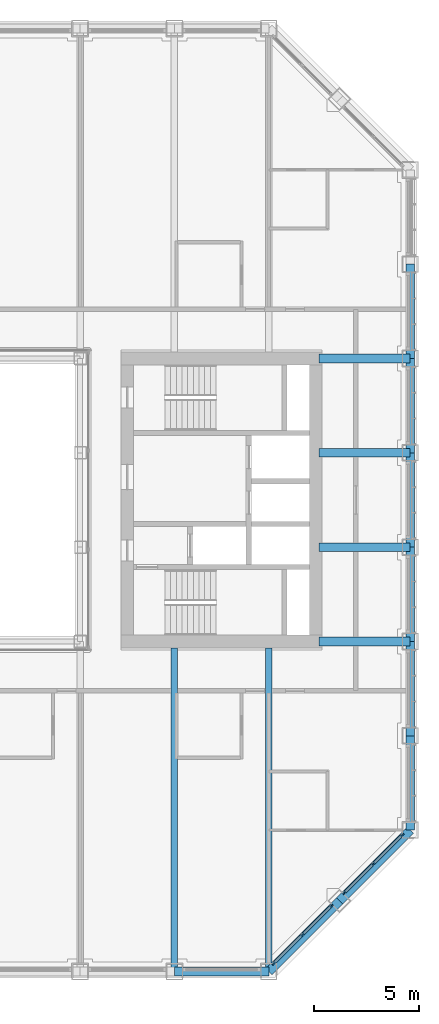
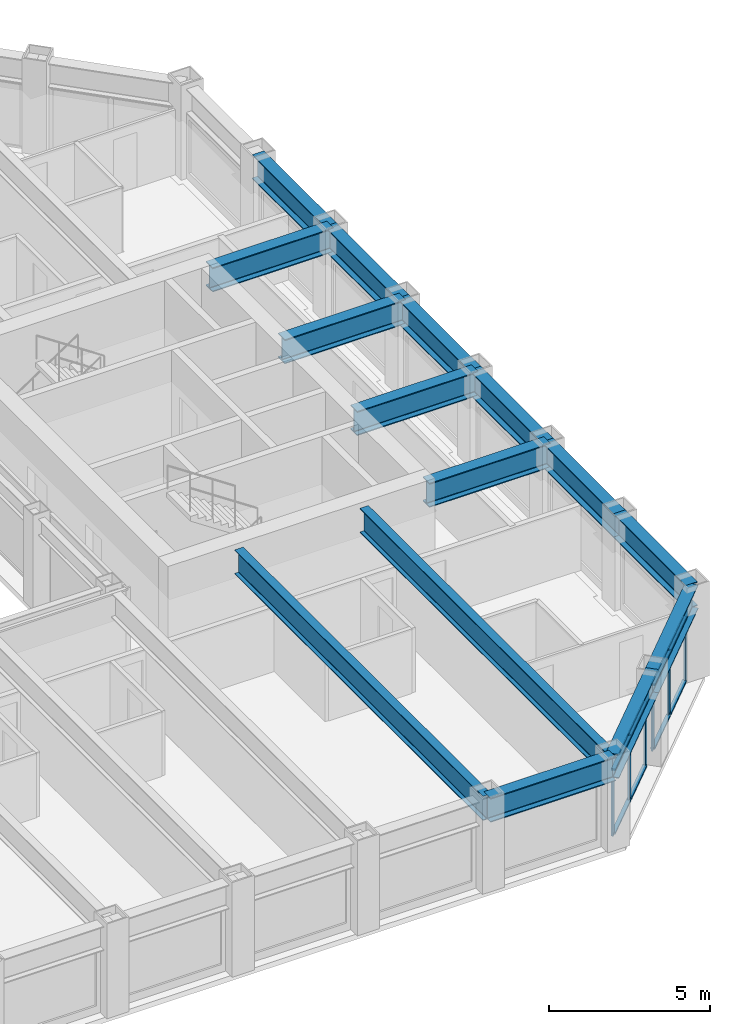
# One storey, part 6 of 17: 15 beams, 14 members, 2 elements without a shape of their own.
"""IFC4 building model written with IfcOpenShell, lengths in metres."""

from ifc_helpers import new_model, si_unit, direction, frame, origin, origin_2d, place, context, subcontext, project, spatial, rectangle, i_section, extrude, material, material_profile, profile_set, type_object, element, aggregate, save


model = new_model("IFC4")

# Units and contexts
model_context = context("Model", 3, precision=1e-05, world=origin(), true_north=direction((0.0, 1.0)))
body_context = subcontext(model_context, "Body", "Model", "MODEL_VIEW")
ifc_project = project(units=[si_unit("LENGTHUNIT", "METRE"), si_unit("AREAUNIT", "SQUARE_METRE"), si_unit("VOLUMEUNIT", "CUBIC_METRE"), si_unit("PLANEANGLEUNIT", "RADIAN"), si_unit("MASSUNIT", "GRAM", prefix="KILO")], contexts=[model_context])

# Site, building, storey
site_placement = place(None, origin())
site = spatial("IfcSite", under=ifc_project, at=site_placement, CompositionType="ELEMENT")
building_placement = place(site_placement, origin())
building = spatial("IfcBuilding", under=site, at=building_placement, Name="Msasa Ring Tower", CompositionType="ELEMENT")
storey_placement = place(building_placement, frame((0.0, 0.0, 161.60009765625)))
storey = spatial("IfcBuildingStorey", under=building, at=storey_placement, Name="L42", CompositionType="ELEMENT", Elevation=161.60009765625)

# Curtain wall, members
ifc_material_1 = material(Name="Aluminium curtain wall with clear glass", Category="aluminium")
curtain_wall_type = type_object("IfcCurtainWallType", Name="CW-C CHAMFER CORNER CURTAIN WALL", PredefinedType="NOTDEFINED", material=ifc_material_1)
curtain_wall_1_placement = place(storey_placement, origin())
curtain_wall_1 = element("IfcCurtainWall", 1, at=curtain_wall_1_placement, inside=storey, type_object=curtain_wall_type, Name="Chamfer corner curtain wall SE L42", PredefinedType="NOTDEFINED")
ifc_material_2 = material(Name="Aluminium mullion", Category="aluminium")
ifc_material_profile_1 = material_profile(ifc_material_2, rectangle(XDim=0.06494140625, YDim=0.179931640625, at=origin_2d()), Name="AL 65x180")
ifc_profile_set_1 = profile_set([ifc_material_profile_1], Name="Aluminium mullion")
member_type_1 = type_object("IfcMemberType", Name="CW-C MULLION 65x180", PredefinedType="MULLION", material=ifc_profile_set_1)
member_1_placement = place(storey_placement, frame((15.98876953125, -22.119873046875, 0.0), z_axis=(0.0, 0.0, 1.0), x_axis=(-0.707106781187, 0.707106781187, 0.0)))
member_1 = element("IfcMember", 2, at=member_1_placement, type_object=member_type_1, Name="CW-C mullion 1", PredefinedType="MULLION", context=body_context, shape_type="SweptSolid", body=[
    extrude(rectangle(XDim=0.06494140625, YDim=0.179931640625, at=origin_2d()), origin(), (0.0, 0.0, 1.0), 2.47900390625),
])
member_2_placement = place(storey_placement, frame((17.36669921875, -20.74169921875, 0.0), z_axis=(0.0, 0.0, 1.0), x_axis=(-0.707106781187, 0.707106781187, 0.0)))
member_2 = element("IfcMember", 3, at=member_2_placement, type_object=member_type_1, Name="CW-C mullion 2", PredefinedType="MULLION", context=body_context, shape_type="SweptSolid", body=[
    extrude(rectangle(XDim=0.06494140625, YDim=0.179931640625, at=origin_2d()), origin(), (0.0, 0.0, 1.0), 2.47900390625),
])
member_3_placement = place(storey_placement, frame((18.744873046875, -19.36376953125, 0.0), z_axis=(0.0, 0.0, 1.0), x_axis=(-0.707106781187, 0.707106781187, 0.0)))
member_3 = element("IfcMember", 4, at=member_3_placement, type_object=member_type_1, Name="CW-C mullion 3", PredefinedType="MULLION", context=body_context, shape_type="SweptSolid", body=[
    extrude(rectangle(XDim=0.06494140625, YDim=0.179931640625, at=origin_2d()), origin(), (0.0, 0.0, 1.0), 2.47900390625),
])

curtain_wall_2_placement = place(storey_placement, origin())
curtain_wall_2 = element("IfcCurtainWall", 5, at=curtain_wall_2_placement, inside=storey, type_object=curtain_wall_type, Name="Chamfer corner curtain wall SE L42", PredefinedType="NOTDEFINED")
member_4_placement = place(storey_placement, frame((19.36376953125, -18.744873046875, 0.0), z_axis=(0.0, 0.0, 1.0), x_axis=(-0.707106781187, 0.707106781187, 0.0)))
member_4 = element("IfcMember", 6, at=member_4_placement, type_object=member_type_1, Name="CW-C mullion 1", PredefinedType="MULLION", context=body_context, shape_type="SweptSolid", body=[
    extrude(rectangle(XDim=0.06494140625, YDim=0.179931640625, at=origin_2d()), origin(), (0.0, 0.0, 1.0), 2.47900390625),
])
member_5_placement = place(storey_placement, frame((20.74169921875, -17.36669921875, 0.0), z_axis=(0.0, 0.0, 1.0), x_axis=(-0.707106781187, 0.707106781187, 0.0)))
member_5 = element("IfcMember", 7, at=member_5_placement, type_object=member_type_1, Name="CW-C mullion 2", PredefinedType="MULLION", context=body_context, shape_type="SweptSolid", body=[
    extrude(rectangle(XDim=0.06494140625, YDim=0.179931640625, at=origin_2d()), origin(), (0.0, 0.0, 1.0), 2.47900390625),
])
member_6_placement = place(storey_placement, frame((22.119873046875, -15.98876953125, 0.0), z_axis=(0.0, 0.0, 1.0), x_axis=(-0.707106781187, 0.707106781187, 0.0)))
member_6 = element("IfcMember", 8, at=member_6_placement, type_object=member_type_1, Name="CW-C mullion 3", PredefinedType="MULLION", context=body_context, shape_type="SweptSolid", body=[
    extrude(rectangle(XDim=0.06494140625, YDim=0.179931640625, at=origin_2d()), origin(), (0.0, 0.0, 1.0), 2.47900390625),
])

# Member
ifc_material_3 = material(Name="Aluminium transom", Category="aluminium")
ifc_material_profile_2 = material_profile(ifc_material_3, rectangle(XDim=0.139892578125, YDim=0.06494140625, at=origin_2d()), Name="AL 65x140")
ifc_profile_set_2 = profile_set([ifc_material_profile_2], Name="Aluminium transom")
member_type_2 = type_object("IfcMemberType", Name="CW-C TRANSOM 65x140", PredefinedType="USERDEFINED", material=ifc_profile_set_2)
member_7_placement = place(storey_placement, frame((16.01171875, -22.096923828125, 0.032470703125), z_axis=(0.707106781187, 0.707106781187, 0.0), x_axis=(-0.707106781187, 0.707106781187, 0.0)))
member_7 = element("IfcMember", 9, at=member_7_placement, type_object=member_type_2, Name="CW-C transom 1.1", ObjectType="TRANSOM", PredefinedType="USERDEFINED", context=body_context, shape_type="SweptSolid", body=[
    extrude(rectangle(XDim=0.139892578125, YDim=0.06494140625, at=origin_2d()), origin(), (0.0, 0.0, 1.0), 1.8837890625),
])

member_8_placement = place(storey_placement, frame((16.01171875, -22.096923828125, 2.4462890625), z_axis=(0.707106781187, 0.707106781187, 0.0), x_axis=(-0.707106781187, 0.707106781187, 0.0)))
member_8 = element("IfcMember", 10, at=member_8_placement, type_object=member_type_2, Name="CW-C transom 1.2", ObjectType="TRANSOM", PredefinedType="USERDEFINED", context=body_context, shape_type="SweptSolid", body=[
    extrude(rectangle(XDim=0.139892578125, YDim=0.06494140625, at=origin_2d()), origin(), (0.0, 0.0, 1.0), 1.8837890625),
])

member_9_placement = place(storey_placement, frame((17.389892578125, -20.71875, 0.032470703125), z_axis=(0.707106781187, 0.707106781187, 0.0), x_axis=(-0.707106781187, 0.707106781187, 0.0)))
member_9 = element("IfcMember", 11, at=member_9_placement, type_object=member_type_2, Name="CW-C transom 2.1", ObjectType="TRANSOM", PredefinedType="USERDEFINED", context=body_context, shape_type="SweptSolid", body=[
    extrude(rectangle(XDim=0.139892578125, YDim=0.06494140625, at=origin_2d()), origin(), (0.0, 0.0, 1.0), 1.8837890625),
])

member_10_placement = place(storey_placement, frame((17.389892578125, -20.71875, 2.4462890625), z_axis=(0.707106781187, 0.707106781187, 0.0), x_axis=(-0.707106781187, 0.707106781187, 0.0)))
member_10 = element("IfcMember", 12, at=member_10_placement, type_object=member_type_2, Name="CW-C transom 2.2", ObjectType="TRANSOM", PredefinedType="USERDEFINED", context=body_context, shape_type="SweptSolid", body=[
    extrude(rectangle(XDim=0.139892578125, YDim=0.06494140625, at=origin_2d()), origin(), (0.0, 0.0, 1.0), 1.8837890625),
])

aggregate(curtain_wall_1, [member_1, member_2, member_3, member_7, member_8, member_9, member_10])

member_11_placement = place(storey_placement, frame((19.38671875, -18.721923828125, 0.032470703125), z_axis=(0.707106781187, 0.707106781187, 0.0), x_axis=(-0.707106781187, 0.707106781187, 0.0)))
member_11 = element("IfcMember", 13, at=member_11_placement, type_object=member_type_2, Name="CW-C transom 1.1", ObjectType="TRANSOM", PredefinedType="USERDEFINED", context=body_context, shape_type="SweptSolid", body=[
    extrude(rectangle(XDim=0.139892578125, YDim=0.06494140625, at=origin_2d()), origin(), (0.0, 0.0, 1.0), 1.8837890625),
])

member_12_placement = place(storey_placement, frame((19.38671875, -18.721923828125, 2.4462890625), z_axis=(0.707106781187, 0.707106781187, 0.0), x_axis=(-0.707106781187, 0.707106781187, 0.0)))
member_12 = element("IfcMember", 14, at=member_12_placement, type_object=member_type_2, Name="CW-C transom 1.2", ObjectType="TRANSOM", PredefinedType="USERDEFINED", context=body_context, shape_type="SweptSolid", body=[
    extrude(rectangle(XDim=0.139892578125, YDim=0.06494140625, at=origin_2d()), origin(), (0.0, 0.0, 1.0), 1.8837890625),
])

member_13_placement = place(storey_placement, frame((20.764892578125, -17.34375, 0.032470703125), z_axis=(0.707106781187, 0.707106781187, 0.0), x_axis=(-0.707106781187, 0.707106781187, 0.0)))
member_13 = element("IfcMember", 15, at=member_13_placement, type_object=member_type_2, Name="CW-C transom 2.1", ObjectType="TRANSOM", PredefinedType="USERDEFINED", context=body_context, shape_type="SweptSolid", body=[
    extrude(rectangle(XDim=0.139892578125, YDim=0.06494140625, at=origin_2d()), origin(), (0.0, 0.0, 1.0), 1.8837890625),
])

member_14_placement = place(storey_placement, frame((20.764892578125, -17.34375, 2.4462890625), z_axis=(0.707106781187, 0.707106781187, 0.0), x_axis=(-0.707106781187, 0.707106781187, 0.0)))
member_14 = element("IfcMember", 16, at=member_14_placement, type_object=member_type_2, Name="CW-C transom 2.2", ObjectType="TRANSOM", PredefinedType="USERDEFINED", context=body_context, shape_type="SweptSolid", body=[
    extrude(rectangle(XDim=0.139892578125, YDim=0.06494140625, at=origin_2d()), origin(), (0.0, 0.0, 1.0), 1.8837890625),
])

aggregate(curtain_wall_2, [member_4, member_5, member_6, member_11, member_12, member_13, member_14])

# Beams
ifc_material_4 = material(Name="Steel S355", Category="steel")
ifc_material_profile_3 = material_profile(ifc_material_4, i_section(OverallWidth=0.42041015625, OverallDepth=0.9208984375, WebThickness=0.021484375, FlangeThickness=0.03662109375, FilletRadius=0.024169921875, at=origin_2d()), Name="UB 914x419x388")
ifc_profile_set_3 = profile_set([ifc_material_profile_3], Name="Steel S355")
beam_type_1 = type_object("IfcBeamType", Name="FB2 UB 914x419x388", PredefinedType="BEAM", material=ifc_profile_set_3)
for number, where, z_axis, x_axis, name in (
    (17, (22.5, -2.25, 2.939453125), (-1.0, 0.0, 0.0), (0.0, -1.0, 0.0), "Floor beam E -2.25 under L43"),
    (18, (22.5, 2.25, 2.939453125), (-1.0, 0.0, 0.0), (0.0, -1.0, 0.0), "Floor beam E +2.25 under L43"),
):
    element("IfcBeam", number, at=place(storey_placement, frame(where, z_axis=z_axis, x_axis=x_axis)), inside=storey, type_object=beam_type_1, Name=name, PredefinedType="BEAM", context=body_context, shape_type="SweptSolid", body=[
        extrude(i_section(OverallWidth=0.42041015625, OverallDepth=0.9208984375, WebThickness=0.021484375, FlangeThickness=0.03662109375, FilletRadius=0.024169921875, at=origin_2d()), origin(), (0.0, 0.0, 1.0), 4.35009765625),
    ])
ifc_material_5 = material(Name="Steel S355", Category="steel")
ifc_material_profile_4 = material_profile(ifc_material_5, i_section(OverallWidth=0.3076171875, OverallDepth=0.926513671875, WebThickness=0.01953125, FlangeThickness=0.031982421875, FilletRadius=0.01904296875, at=origin_2d()), Name="UB 914x305x289")
ifc_profile_set_4 = profile_set([ifc_material_profile_4], Name="Steel S355")
beam_type_2 = type_object("IfcBeamType", Name="FB3 UB 914x305x289", PredefinedType="BEAM", material=ifc_profile_set_4)
for number, where, z_axis, x_axis, name in (
    (19, (11.25, -22.5, 2.9365234375), (0.0, 1.0, 0.0), (-1.0, 0.0, 0.0), "Floor beam S+11.25 under L43"),
    (20, (15.75, -22.5, 2.9365234375), (0.0, 1.0, 0.0), (-1.0, 0.0, 0.0), "Floor beam S+15.75 under L43"),
):
    element("IfcBeam", number, at=place(storey_placement, frame(where, z_axis=z_axis, x_axis=x_axis)), inside=storey, type_object=beam_type_2, Name=name, PredefinedType="BEAM", context=body_context, shape_type="SweptSolid", body=[
        extrude(i_section(OverallWidth=0.3076171875, OverallDepth=0.926513671875, WebThickness=0.01953125, FlangeThickness=0.031982421875, FilletRadius=0.01904296875, at=origin_2d()), origin(), (0.0, 0.0, 1.0), 15.449951171875),
    ])
ifc_material_6 = material(Name="Steel S355", Category="steel")
ifc_material_profile_5 = material_profile(ifc_material_6, i_section(OverallWidth=0.42041015625, OverallDepth=0.9208984375, WebThickness=0.021484375, FlangeThickness=0.03662109375, FilletRadius=0.024169921875, at=origin_2d()), Name="UB 914x419x388")
ifc_profile_set_5 = profile_set([ifc_material_profile_5], Name="Steel S355")
beam_type_3 = type_object("IfcBeamType", Name="GB1 UB 914x419x388", PredefinedType="BEAM", material=ifc_profile_set_5)
for number, where, z_axis, x_axis, name in (
    (21, (18.14990234375, 6.75, 2.939453125), (1.0, 0.0, 0.0), (0.0, 1.0, 0.0), "Girder E +6.75 under L43"),
    (22, (18.14990234375, -6.75, 2.939453125), (1.0, 0.0, 0.0), (0.0, 1.0, 0.0), "Girder E -6.75 under L43"),
):
    element("IfcBeam", number, at=place(storey_placement, frame(where, z_axis=z_axis, x_axis=x_axis)), inside=storey, type_object=beam_type_3, Name=name, PredefinedType="BEAM", context=body_context, shape_type="SweptSolid", body=[
        extrude(i_section(OverallWidth=0.42041015625, OverallDepth=0.9208984375, WebThickness=0.021484375, FlangeThickness=0.03662109375, FilletRadius=0.024169921875, at=origin_2d()), origin(), (0.0, 0.0, 1.0), 4.35009765625),
    ])
ifc_material_7 = material(Name="Steel S355", Category="steel")
ifc_material_profile_6 = material_profile(ifc_material_7, i_section(OverallWidth=0.42041015625, OverallDepth=0.9208984375, WebThickness=0.021484375, FlangeThickness=0.03662109375, FilletRadius=0.024169921875, at=origin_2d()), Name="UB 914x419x388")
ifc_profile_set_6 = profile_set([ifc_material_profile_6], Name="Steel S355")
beam_type_4 = type_object("IfcBeamType", Name="SB1 UB 914x419x388", PredefinedType="SPANDREL", material=ifc_profile_set_6)
beam_placement = place(storey_placement, frame((11.25, -22.5, 2.939453125), z_axis=(1.0, 0.0, 0.0), x_axis=(0.0, 1.0, 0.0)))
element("IfcBeam", 23, at=beam_placement, inside=storey, type_object=beam_type_4, Name="Spandrel S+11.25 to S+15.75 under L43", PredefinedType="SPANDREL", context=body_context, shape_type="SweptSolid", body=[
    extrude(i_section(OverallWidth=0.42041015625, OverallDepth=0.9208984375, WebThickness=0.021484375, FlangeThickness=0.03662109375, FilletRadius=0.024169921875, at=origin_2d()), origin(), (0.0, 0.0, 1.0), 4.5),
])
for number, where, z_axis, x_axis, name in (
    (24, (15.75, -22.5, 2.939453125), (0.707106781187, 0.707106781187, 0.0), (-0.707106781187, 0.707106781187, 0.0), "Spandrel S+15.75 to SE under L43"),
    (25, (19.125, -19.125, 2.939453125), (0.707106781187, 0.707106781187, 0.0), (-0.707106781187, 0.707106781187, 0.0), "Spandrel SE to E-15.75 under L43"),
):
    element("IfcBeam", number, at=place(storey_placement, frame(where, z_axis=z_axis, x_axis=x_axis)), inside=storey, type_object=beam_type_4, Name=name, PredefinedType="SPANDREL", context=body_context, shape_type="SweptSolid", body=[
        extrude(i_section(OverallWidth=0.42041015625, OverallDepth=0.9208984375, WebThickness=0.021484375, FlangeThickness=0.03662109375, FilletRadius=0.024169921875, at=origin_2d()), origin(), (0.0, 0.0, 1.0), 4.77294921875),
    ])
for number, where, z_axis, x_axis, name in (
    (26, (22.5, -15.75, 2.939453125), (0.0, 1.0, 0.0), (-1.0, 0.0, 0.0), "Spandrel E-15.75 to E-11.25 under L43"),
    (27, (22.5, -11.25, 2.939453125), (0.0, 1.0, 0.0), (-1.0, 0.0, 0.0), "Spandrel E-11.25 to E-6.75 under L43"),
    (28, (22.5, -6.75, 2.939453125), (0.0, 1.0, 0.0), (-1.0, 0.0, 0.0), "Spandrel E-6.75 to E-2.25 under L43"),
    (29, (22.5, -2.25, 2.939453125), (0.0, 1.0, 0.0), (-1.0, 0.0, 0.0), "Spandrel E-2.25 to E+2.25 under L43"),
    (30, (22.5, 2.25, 2.939453125), (0.0, 1.0, 0.0), (-1.0, 0.0, 0.0), "Spandrel E+2.25 to E+6.75 under L43"),
    (31, (22.5, 6.75, 2.939453125), (0.0, 1.0, 0.0), (-1.0, 0.0, 0.0), "Spandrel E+6.75 to E+11.25 under L43"),
):
    element("IfcBeam", number, at=place(storey_placement, frame(where, z_axis=z_axis, x_axis=x_axis)), inside=storey, type_object=beam_type_4, Name=name, PredefinedType="SPANDREL", context=body_context, shape_type="SweptSolid", body=[
        extrude(i_section(OverallWidth=0.42041015625, OverallDepth=0.9208984375, WebThickness=0.021484375, FlangeThickness=0.03662109375, FilletRadius=0.024169921875, at=origin_2d()), origin(), (0.0, 0.0, 1.0), 4.5),
    ])

save(model, "model.ifc")
